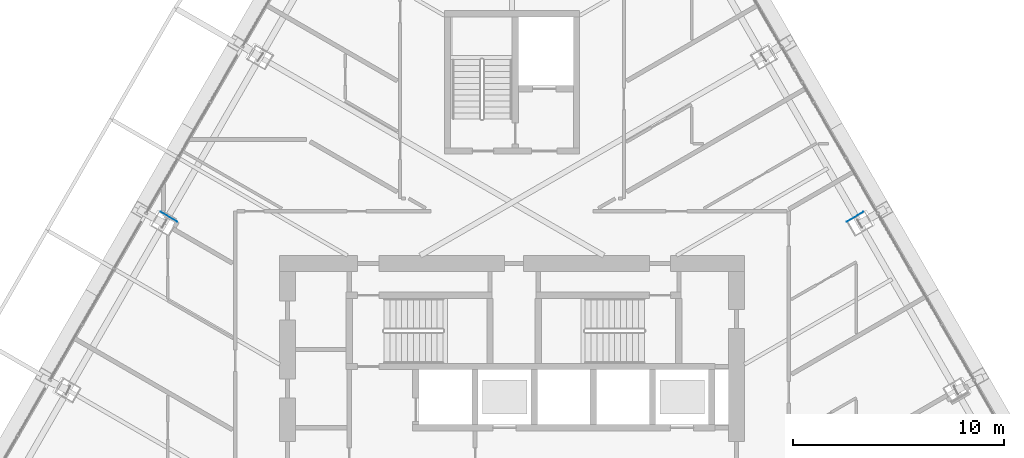
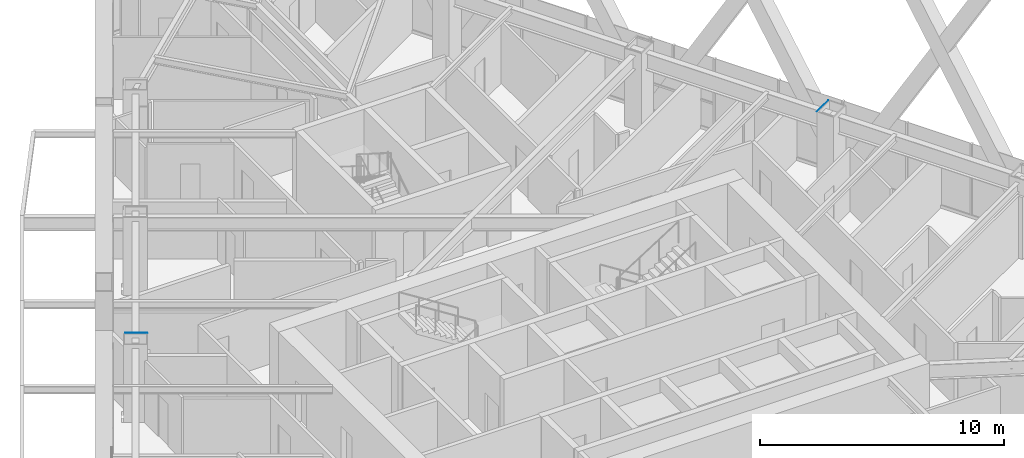
# One storey, part 14 of 26: 2 plates.
"""IFC4 building model written with IfcOpenShell, lengths in metres."""

from ifc_helpers import new_model, si_unit, direction, frame, origin, place, context, subcontext, project, spatial, polyline, outline, extrude, material, layer, layer_set, type_object, element, save


model = new_model("IFC4")

# Units and contexts
model_context = context("Model", 3, precision=1e-05, world=origin(), true_north=direction((0.0, 1.0)))
body_context = subcontext(model_context, "Body", "Model", "MODEL_VIEW")
ifc_project = project(units=[si_unit("LENGTHUNIT", "METRE"), si_unit("AREAUNIT", "SQUARE_METRE"), si_unit("VOLUMEUNIT", "CUBIC_METRE"), si_unit("PLANEANGLEUNIT", "RADIAN"), si_unit("MASSUNIT", "GRAM", prefix="KILO")], contexts=[model_context])

# Site, building, storey
site_placement = place(None, origin())
site = spatial("IfcSite", under=ifc_project, at=site_placement, CompositionType="ELEMENT")
building_placement = place(site_placement, origin())
building = spatial("IfcBuilding", under=site, at=building_placement, Name="Firuza Gate Tower and Library", CompositionType="ELEMENT")
storey_placement = place(building_placement, frame((0.0, 0.0, 155.800048828125)))
storey = spatial("IfcBuildingStorey", under=building, at=storey_placement, Name="L35", CompositionType="ELEMENT", Elevation=155.800048828125)

# Plates
ifc_material = material(Name="Steel S355", Category="steel")
ifc_layer = layer(ifc_material, 0.030029296875)
ifc_layer_set = layer_set([ifc_layer], Name="Column infill plate 30 Steel S355")
plate_type = type_object("IfcPlateType", Name="Column infill plate 30 Steel S355", PredefinedType="SHEET", material=ifc_layer_set)
placement = place(storey_placement, frame((0.0, 0.0, 3.89990234375)))
element("IfcPlate", 1, at=placement, inside=storey, type_object=plate_type, Name="Infill plate L35:E3", PredefinedType="SHEET", context=body_context, shape_type="SweptSolid", body=[
    extrude(outline(polyline([(90.837646484375, 84.605712890625), (90.837646484375, 84.605712890625), (91.634521484375, 85.06591796875), (92.03466796875, 84.373046875), (92.103515625, 84.412841796875), (91.70361328125, 85.105712890625), (90.837646484375, 84.605712890625)])), origin(), (0.0, 0.0, 1.0), 0.030029296875),
])
element("IfcPlate", 2, at=placement, inside=storey, type_object=plate_type, Name="Infill plate L35:W3", PredefinedType="SHEET", context=body_context, shape_type="SweptSolid", body=[
    extrude(outline(polyline([(57.896484375, 84.412841796875), (57.96533203125, 84.373046875), (58.365478515625, 85.06591796875), (59.162353515625, 84.605712890625), (59.162353515625, 84.605712890625), (58.29638671875, 85.105712890625), (57.896484375, 84.412841796875)])), origin(), (0.0, 0.0, 1.0), 0.030029296875),
])

save(model, "model.ifc")
